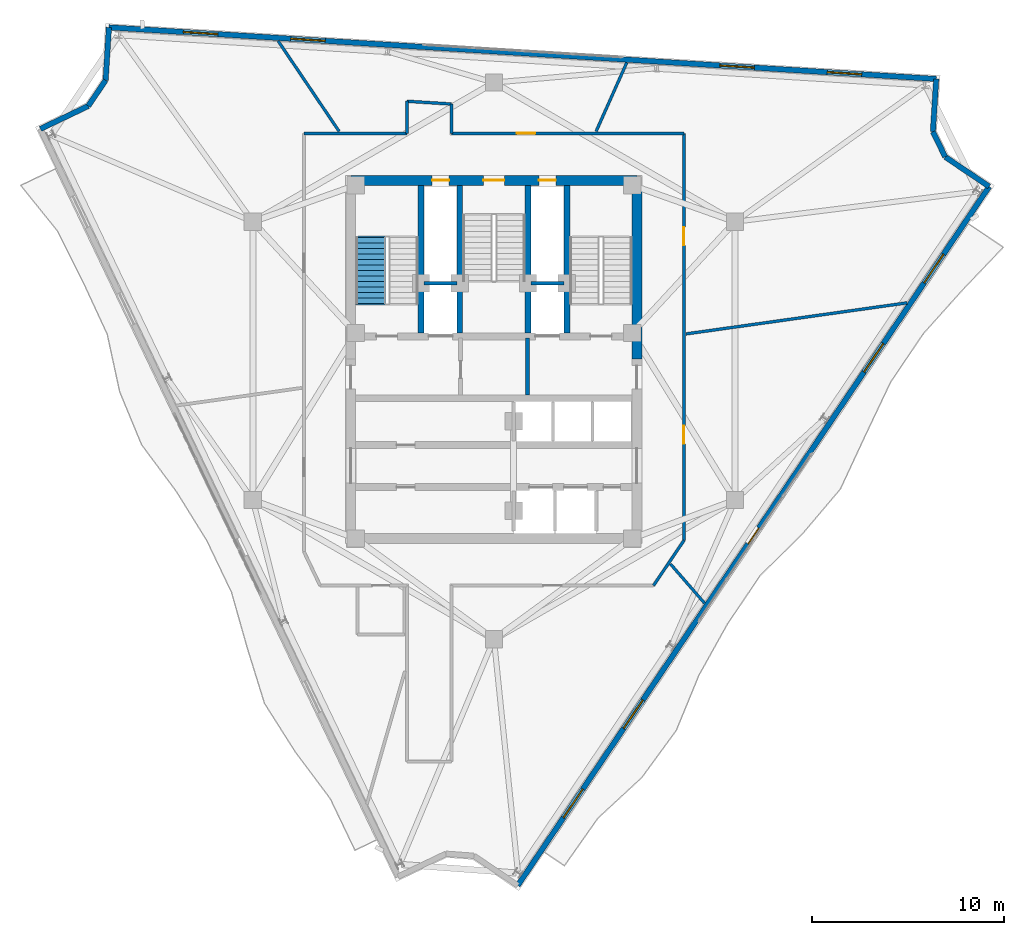
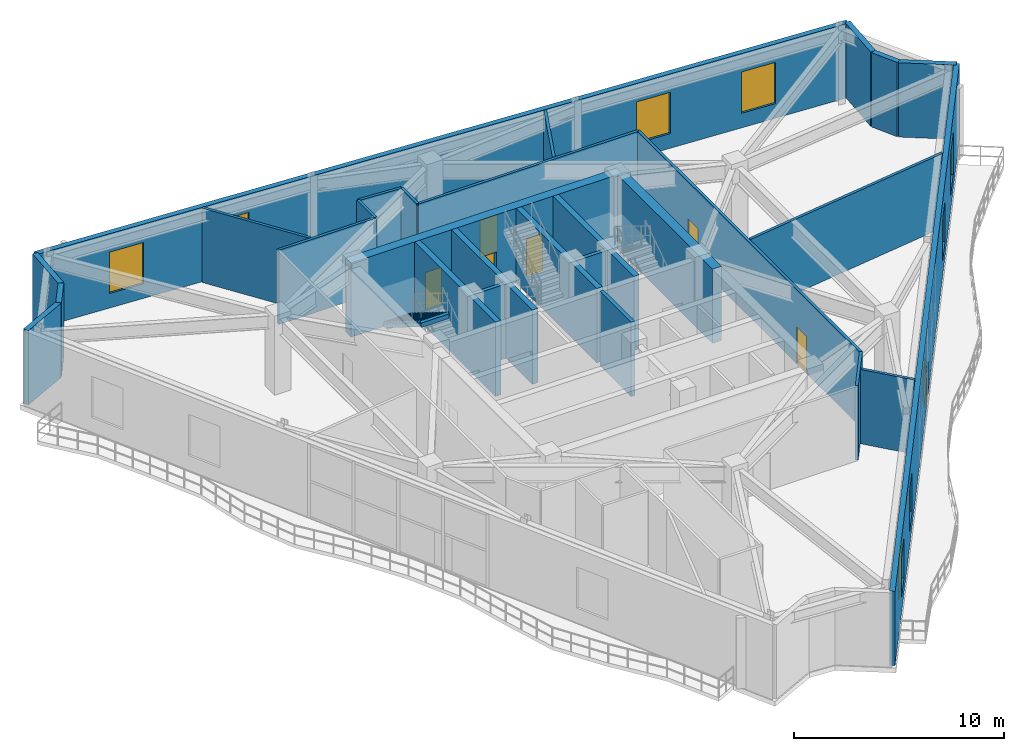
# One storey, part 11 of 15: 28 walls, 8 windows, 7 doors, 1 stair flight, 15 openings, 1 element without a shape of its own.
"""IFC4 building model written with IfcOpenShell, lengths in metres."""

from ifc_helpers import new_model, si_unit, direction, frame, frame_2d, origin, place, context, subcontext, project, spatial, polyline, rectangle, outline, extrude, material, layer, layer_set, type_object, element, fill, aggregate, save


model = new_model("IFC4")

# Units and contexts
model_context = context("Model", 3, precision=1e-05, world=origin(), true_north=direction((0.0, 1.0)))
body_context = subcontext(model_context, "Body", "Model", "MODEL_VIEW")
ifc_project = project(units=[si_unit("LENGTHUNIT", "METRE"), si_unit("AREAUNIT", "SQUARE_METRE"), si_unit("VOLUMEUNIT", "CUBIC_METRE"), si_unit("PLANEANGLEUNIT", "RADIAN"), si_unit("MASSUNIT", "GRAM", prefix="KILO")], contexts=[model_context])

# Site, building, storey
site_placement = place(None, origin())
site = spatial("IfcSite", under=ifc_project, at=site_placement, CompositionType="ELEMENT")
building_placement = place(site_placement, origin())
building = spatial("IfcBuilding", under=site, at=building_placement, Name="Apsidion Concourse Tower", CompositionType="ELEMENT")
storey_placement = place(building_placement, frame((0.0, 0.0, 318.800048828125)))
storey = spatial("IfcBuildingStorey", under=building, at=storey_placement, Name="L75", CompositionType="ELEMENT", Elevation=318.800048828125)

# Wall, openings, windows
ifc_material_1 = material(Name="Precast concrete C40/50", Category="concrete")
ifc_layer_1 = layer(ifc_material_1, 0.280029296875)
ifc_layer_set_1 = layer_set([ifc_layer_1], Name="Precast concrete C40/50")
wall_type_1 = type_object("IfcWallType", Name="WL-EXT-280", PredefinedType="STANDARD", material=ifc_layer_set_1)
wall_1_placement = place(storey_placement, frame((-20.056396484375, 17.376220703125, 0.0), z_axis=(0.0, 0.0, 1.0), x_axis=(0.998061236898, -0.06223959674, 0.0)))
wall_1 = element("IfcWall", 1, at=wall_1_placement, inside=storey, type_object=wall_type_1, Name="L75 Precast Stone Facade Wall 01", PredefinedType="STANDARD", context=body_context, shape_type="SweptSolid", body=[
    extrude(rectangle(XDim=43.179931640625, YDim=0.280029296875, at=frame_2d((21.58984375, 0.0))), origin(), (0.0, 0.0, 1.0), 4.320068359375),
])
opening_1_placement = place(wall_1_placement, frame((3.889892578125, 0.0, 0.85009765625)))
opening_1 = element("IfcOpeningElement", 2, at=opening_1_placement, cuts=wall_1, Name="Opening WN-09", PredefinedType="OPENING", context=body_context, shape_type="SweptSolid", body=[
    extrude(rectangle(XDim=1.800048828125, YDim=2.39990234375, at=frame_2d((0.89990234375, 1.199951171875))), frame((0.0, 0.14990234375, 0.0), z_axis=(0.0, -1.0, 0.0), x_axis=(1.0, 0.0, 0.0)), (0.0, 0.0, 1.0), 0.300048828125),
])
opening_2_placement = place(wall_1_placement, frame((9.489990234375, 0.0, 0.85009765625)))
opening_2 = element("IfcOpeningElement", 3, at=opening_2_placement, cuts=wall_1, Name="Opening WN-09", PredefinedType="OPENING", context=body_context, shape_type="SweptSolid", body=[
    extrude(rectangle(XDim=1.800048828125, YDim=2.39990234375, at=frame_2d((0.89990234375, 1.199951171875))), frame((0.0, 0.14990234375, 0.0), z_axis=(0.0, -1.0, 0.0), x_axis=(1.0, 0.0, 0.0)), (0.0, 0.0, 1.0), 0.300048828125),
])
opening_3_placement = place(wall_1_placement, frame((31.889892578125, 0.0, 0.85009765625)))
opening_3 = element("IfcOpeningElement", 4, at=opening_3_placement, cuts=wall_1, Name="Opening WN-09", PredefinedType="OPENING", context=body_context, shape_type="SweptSolid", body=[
    extrude(rectangle(XDim=1.800048828125, YDim=2.39990234375, at=frame_2d((0.89990234375, 1.199951171875))), frame((0.0, 0.14990234375, 0.0), z_axis=(0.0, -1.0, 0.0), x_axis=(1.0, 0.0, 0.0)), (0.0, 0.0, 1.0), 0.300048828125),
])
opening_4_placement = place(wall_1_placement, frame((37.489990234375, 0.0, 0.85009765625)))
opening_4 = element("IfcOpeningElement", 5, at=opening_4_placement, cuts=wall_1, Name="Opening WN-09", PredefinedType="OPENING", context=body_context, shape_type="SweptSolid", body=[
    extrude(rectangle(XDim=1.800048828125, YDim=2.39990234375, at=frame_2d((0.89990234375, 1.199951171875))), frame((0.0, 0.14990234375, 0.0), z_axis=(0.0, -1.0, 0.0), x_axis=(1.0, 0.0, 0.0)), (0.0, 0.0, 1.0), 0.300048828125),
])
ifc_material_2 = material(Name="Insulated laminated low-E glass", Category="glass")
window_type = type_object("IfcWindowType", Name="WN-OBS-1826", PartitioningType="DOUBLE_PANEL_VERTICAL", PredefinedType="WINDOW", material=ifc_material_2)
window_1_placement = place(opening_1_placement, origin())
window_1 = element("IfcWindow", 6, at=window_1_placement, inside=storey, type_object=window_type, Name="L75 Punched Facade Window 1-01", OverallHeight=2.39990234375, OverallWidth=1.800048828125, PartitioningType="DOUBLE_PANEL_VERTICAL", PredefinedType="WINDOW", context=body_context, shape_type="SweptSolid", body=[
    extrude(rectangle(XDim=1.800048828125, YDim=2.39990234375, at=frame_2d((0.89990234375, 1.199951171875))), frame((0.0, 0.030029296875, 0.0), z_axis=(0.0, -1.0, 0.0), x_axis=(1.0, 0.0, 0.0)), (0.0, 0.0, 1.0), 0.06005859375),
])
fill(opening_1, window_1)
window_2_placement = place(opening_2_placement, origin())
window_2 = element("IfcWindow", 7, at=window_2_placement, inside=storey, type_object=window_type, Name="L75 Punched Facade Window 1-02", OverallHeight=2.39990234375, OverallWidth=1.800048828125, PartitioningType="DOUBLE_PANEL_VERTICAL", PredefinedType="WINDOW", context=body_context, shape_type="SweptSolid", body=[
    extrude(rectangle(XDim=1.800048828125, YDim=2.39990234375, at=frame_2d((0.89990234375, 1.199951171875))), frame((0.0, 0.030029296875, 0.0), z_axis=(0.0, -1.0, 0.0), x_axis=(1.0, 0.0, 0.0)), (0.0, 0.0, 1.0), 0.06005859375),
])
fill(opening_2, window_2)
window_3_placement = place(opening_3_placement, origin())
window_3 = element("IfcWindow", 8, at=window_3_placement, inside=storey, type_object=window_type, Name="L75 Punched Facade Window 1-06", OverallHeight=2.39990234375, OverallWidth=1.800048828125, PartitioningType="DOUBLE_PANEL_VERTICAL", PredefinedType="WINDOW", context=body_context, shape_type="SweptSolid", body=[
    extrude(rectangle(XDim=1.800048828125, YDim=2.39990234375, at=frame_2d((0.89990234375, 1.199951171875))), frame((0.0, 0.030029296875, 0.0), z_axis=(0.0, -1.0, 0.0), x_axis=(1.0, 0.0, 0.0)), (0.0, 0.0, 1.0), 0.06005859375),
])
fill(opening_3, window_3)
window_4_placement = place(opening_4_placement, origin())
window_4 = element("IfcWindow", 9, at=window_4_placement, inside=storey, type_object=window_type, Name="L75 Punched Facade Window 1-07", OverallHeight=2.39990234375, OverallWidth=1.800048828125, PartitioningType="DOUBLE_PANEL_VERTICAL", PredefinedType="WINDOW", context=body_context, shape_type="SweptSolid", body=[
    extrude(rectangle(XDim=1.800048828125, YDim=2.39990234375, at=frame_2d((0.89990234375, 1.199951171875))), frame((0.0, 0.030029296875, 0.0), z_axis=(0.0, -1.0, 0.0), x_axis=(1.0, 0.0, 0.0)), (0.0, 0.0, 1.0), 0.06005859375),
])
fill(opening_4, window_4)

# Walls
wall_2_placement = place(storey_placement, frame((23.039794921875, 14.688720703125, 0.0), z_axis=(0.0, 0.0, 1.0), x_axis=(-0.062295651102, -0.998057739739, 0.0)))
element("IfcWall", 10, at=wall_2_placement, inside=storey, type_object=wall_type_1, Name="L75 Precast Stone Facade Wall 02", PredefinedType="STANDARD", context=body_context, shape_type="SweptSolid", body=[
    extrude(rectangle(XDim=2.759033203125, YDim=0.280029296875, at=frame_2d((1.37939453125, 0.0))), origin(), (0.0, 0.0, 1.0), 4.320068359375),
])
wall_3_placement = place(storey_placement, frame((22.867919921875, 11.93505859375, 0.0), z_axis=(0.0, 0.0, 1.0), x_axis=(0.441785524615, -0.897120699929, 0.0)))
element("IfcWall", 11, at=wall_3_placement, inside=storey, type_object=wall_type_1, Name="L75 Precast Stone Facade Wall 03", PredefinedType="STANDARD", context=body_context, shape_type="SweptSolid", body=[
    extrude(rectangle(XDim=1.45947265625, YDim=0.280029296875, at=frame_2d((0.729736328125, 0.0))), origin(), (0.0, 0.0, 1.0), 4.320068359375),
])
wall_4_placement = place(storey_placement, frame((23.5126953125, 10.625732421875, 0.0), z_axis=(0.0, 0.0, 1.0), x_axis=(0.829056864924, -0.559164300294, 0.0)))
element("IfcWall", 12, at=wall_4_placement, inside=storey, type_object=wall_type_1, Name="L75 Precast Stone Facade Wall 04", PredefinedType="STANDARD", context=body_context, shape_type="SweptSolid", body=[
    extrude(rectangle(XDim=2.759033203125, YDim=0.280029296875, at=frame_2d((1.37939453125, 0.0))), origin(), (0.0, 0.0, 1.0), 4.320068359375),
])

# Wall, openings, door, windows
wall_5_placement = place(storey_placement, frame((25.800048828125, 9.0830078125, 0.0), z_axis=(0.0, 0.0, 1.0), x_axis=(-0.55919392155, -0.829036885851, 0.0)))
wall_5 = element("IfcWall", 13, at=wall_5_placement, inside=storey, type_object=wall_type_1, Name="L75 Precast Stone Facade Wall 05", PredefinedType="STANDARD", context=body_context, shape_type="SweptSolid", body=[
    extrude(rectangle(XDim=43.914794921875, YDim=0.280029296875, at=frame_2d((21.95751953125, 0.0))), origin(), (0.0, 0.0, 1.0), 4.320068359375),
])
opening_5_placement = place(wall_5_placement, frame((21.457275390625, 0.0, 0.0)))
opening_5 = element("IfcOpeningElement", 14, at=opening_5_placement, cuts=wall_5, Name="Opening D-T1L", PredefinedType="OPENING", context=body_context, shape_type="SweptSolid", body=[
    extrude(rectangle(XDim=1.0, YDim=2.14990234375, at=frame_2d((0.5, 1.074951171875))), frame((0.0, 0.14990234375, 0.0), z_axis=(0.0, -1.0, 0.0), x_axis=(1.0, 0.0, 0.0)), (0.0, 0.0, 1.0), 0.300048828125),
])
opening_6_placement = place(wall_5_placement, frame((4.25732421875, 0.0, 0.85009765625)))
opening_6 = element("IfcOpeningElement", 15, at=opening_6_placement, cuts=wall_5, Name="Opening WN-09", PredefinedType="OPENING", context=body_context, shape_type="SweptSolid", body=[
    extrude(rectangle(XDim=1.800048828125, YDim=2.39990234375, at=frame_2d((0.89990234375, 1.199951171875))), frame((0.0, 0.14990234375, 0.0), z_axis=(0.0, -1.0, 0.0), x_axis=(1.0, 0.0, 0.0)), (0.0, 0.0, 1.0), 0.300048828125),
])
opening_7_placement = place(wall_5_placement, frame((9.857421875, 0.0, 0.85009765625)))
opening_7 = element("IfcOpeningElement", 16, at=opening_7_placement, cuts=wall_5, Name="Opening WN-09", PredefinedType="OPENING", context=body_context, shape_type="SweptSolid", body=[
    extrude(rectangle(XDim=1.800048828125, YDim=2.39990234375, at=frame_2d((0.89990234375, 1.199951171875))), frame((0.0, 0.14990234375, 0.0), z_axis=(0.0, -1.0, 0.0), x_axis=(1.0, 0.0, 0.0)), (0.0, 0.0, 1.0), 0.300048828125),
])
opening_8_placement = place(wall_5_placement, frame((32.25732421875, 0.0, 0.85009765625)))
opening_8 = element("IfcOpeningElement", 17, at=opening_8_placement, cuts=wall_5, Name="Opening WN-09", PredefinedType="OPENING", context=body_context, shape_type="SweptSolid", body=[
    extrude(rectangle(XDim=1.800048828125, YDim=2.39990234375, at=frame_2d((0.89990234375, 1.199951171875))), frame((0.0, 0.14990234375, 0.0), z_axis=(0.0, -1.0, 0.0), x_axis=(1.0, 0.0, 0.0)), (0.0, 0.0, 1.0), 0.300048828125),
])
opening_9_placement = place(wall_5_placement, frame((37.857421875, 0.0, 0.85009765625)))
opening_9 = element("IfcOpeningElement", 18, at=opening_9_placement, cuts=wall_5, Name="Opening WN-09", PredefinedType="OPENING", context=body_context, shape_type="SweptSolid", body=[
    extrude(rectangle(XDim=1.800048828125, YDim=2.39990234375, at=frame_2d((0.89990234375, 1.199951171875))), frame((0.0, 0.14990234375, 0.0), z_axis=(0.0, -1.0, 0.0), x_axis=(1.0, 0.0, 0.0)), (0.0, 0.0, 1.0), 0.300048828125),
])
ifc_material_3 = material(Name="Anodised aluminium EN AW-6063 T6", Category="aluminium")
door_type_1 = type_object("IfcDoorType", Name="DR-TER-1022L", OperationType="SINGLE_SWING_LEFT", PredefinedType="DOOR", material=ifc_material_3)
door_1_placement = place(opening_5_placement, origin())
door_1 = element("IfcDoor", 19, at=door_1_placement, inside=storey, type_object=door_type_1, Name="L75 Balcony Access Door 2", OperationType="SINGLE_SWING_LEFT", OverallHeight=2.14990234375, OverallWidth=1.0, PredefinedType="DOOR", context=body_context, shape_type="SweptSolid", body=[
    extrude(rectangle(XDim=1.0, YDim=2.14990234375, at=frame_2d((0.5, 1.074951171875))), frame((0.0, 0.02490234375, 0.0), z_axis=(0.0, -1.0, 0.0), x_axis=(1.0, 0.0, 0.0)), (0.0, 0.0, 1.0), 0.050048828125),
])
fill(opening_5, door_1)
window_5_placement = place(opening_6_placement, origin())
window_5 = element("IfcWindow", 20, at=window_5_placement, inside=storey, type_object=window_type, Name="L75 Punched Facade Window 5-01", OverallHeight=2.39990234375, OverallWidth=1.800048828125, PartitioningType="DOUBLE_PANEL_VERTICAL", PredefinedType="WINDOW", context=body_context, shape_type="SweptSolid", body=[
    extrude(rectangle(XDim=1.800048828125, YDim=2.39990234375, at=frame_2d((0.89990234375, 1.199951171875))), frame((0.0, 0.030029296875, 0.0), z_axis=(0.0, -1.0, 0.0), x_axis=(1.0, 0.0, 0.0)), (0.0, 0.0, 1.0), 0.06005859375),
])
fill(opening_6, window_5)
window_6_placement = place(opening_7_placement, origin())
window_6 = element("IfcWindow", 21, at=window_6_placement, inside=storey, type_object=window_type, Name="L75 Punched Facade Window 5-02", OverallHeight=2.39990234375, OverallWidth=1.800048828125, PartitioningType="DOUBLE_PANEL_VERTICAL", PredefinedType="WINDOW", context=body_context, shape_type="SweptSolid", body=[
    extrude(rectangle(XDim=1.800048828125, YDim=2.39990234375, at=frame_2d((0.89990234375, 1.199951171875))), frame((0.0, 0.030029296875, 0.0), z_axis=(0.0, -1.0, 0.0), x_axis=(1.0, 0.0, 0.0)), (0.0, 0.0, 1.0), 0.06005859375),
])
fill(opening_7, window_6)
window_7_placement = place(opening_8_placement, origin())
window_7 = element("IfcWindow", 22, at=window_7_placement, inside=storey, type_object=window_type, Name="L75 Punched Facade Window 5-06", OverallHeight=2.39990234375, OverallWidth=1.800048828125, PartitioningType="DOUBLE_PANEL_VERTICAL", PredefinedType="WINDOW", context=body_context, shape_type="SweptSolid", body=[
    extrude(rectangle(XDim=1.800048828125, YDim=2.39990234375, at=frame_2d((0.89990234375, 1.199951171875))), frame((0.0, 0.030029296875, 0.0), z_axis=(0.0, -1.0, 0.0), x_axis=(1.0, 0.0, 0.0)), (0.0, 0.0, 1.0), 0.06005859375),
])
fill(opening_8, window_7)
window_8_placement = place(opening_9_placement, origin())
window_8 = element("IfcWindow", 23, at=window_8_placement, inside=storey, type_object=window_type, Name="L75 Punched Facade Window 5-07", OverallHeight=2.39990234375, OverallWidth=1.800048828125, PartitioningType="DOUBLE_PANEL_VERTICAL", PredefinedType="WINDOW", context=body_context, shape_type="SweptSolid", body=[
    extrude(rectangle(XDim=1.800048828125, YDim=2.39990234375, at=frame_2d((0.89990234375, 1.199951171875))), frame((0.0, 0.030029296875, 0.0), z_axis=(0.0, -1.0, 0.0), x_axis=(1.0, 0.0, 0.0)), (0.0, 0.0, 1.0), 0.06005859375),
])
fill(opening_9, window_8)

# Walls
wall_6_placement = place(storey_placement, frame((-23.62451171875, 12.0869140625, 0.0), z_axis=(0.0, 0.0, 1.0), x_axis=(0.902092306117, 0.431543127909, 0.0)))
element("IfcWall", 24, at=wall_6_placement, inside=storey, type_object=wall_type_1, Name="L75 Precast Stone Facade Wall 10", PredefinedType="STANDARD", context=body_context, shape_type="SweptSolid", body=[
    extrude(rectangle(XDim=2.76025390625, YDim=0.280029296875, at=frame_2d((1.380126953125, 0.0))), origin(), (0.0, 0.0, 1.0), 4.320068359375),
])
wall_7_placement = place(storey_placement, frame((-21.134521484375, 13.278076171875, 0.0), z_axis=(0.0, 0.0, 1.0), x_axis=(0.559107950815, 0.829094867512, 0.0)))
element("IfcWall", 25, at=wall_7_placement, inside=storey, type_object=wall_type_1, Name="L75 Precast Stone Facade Wall 11", PredefinedType="STANDARD", context=body_context, shape_type="SweptSolid", body=[
    extrude(rectangle(XDim=1.620361328125, YDim=0.280029296875, at=frame_2d((0.81005859375, 0.0))), origin(), (0.0, 0.0, 1.0), 4.320068359375),
])
wall_8_placement = place(storey_placement, frame((-20.228515625, 14.62158203125, 0.0), z_axis=(0.0, 0.0, 1.0), x_axis=(0.062361765106, 0.998053610911, 0.0)))
element("IfcWall", 26, at=wall_8_placement, inside=storey, type_object=wall_type_1, Name="L75 Precast Stone Facade Wall 12", PredefinedType="STANDARD", context=body_context, shape_type="SweptSolid", body=[
    extrude(rectangle(XDim=2.760009765625, YDim=0.280029296875, at=frame_2d((1.3798828125, 0.0))), origin(), (0.0, 0.0, 1.0), 4.320068359375),
])
ifc_material_4 = material(Name="Gypsum plasterboard partition")
ifc_layer_2 = layer(ifc_material_4, 0.14990234375)
ifc_layer_set_2 = layer_set([ifc_layer_2], Name="Gypsum plasterboard partition")
wall_type_2 = type_object("IfcWallType", Name="WL-INT-PAR-150", PredefinedType="PARTITIONING", material=ifc_layer_set_2)
wall_9_placement = place(storey_placement, frame((-9.89990234375, 11.85009765625, 0.0), z_axis=(0.0, 0.0, 1.0), x_axis=(1.0, 0.0, 0.0)))
element("IfcWall", 27, at=wall_9_placement, inside=storey, type_object=wall_type_2, Name="L75 Interior Partition WL-L75-CORR-04", PredefinedType="PARTITIONING", context=body_context, shape_type="SweptSolid", body=[
    extrude(rectangle(XDim=5.369873046875, YDim=0.14990234375, at=frame_2d((2.68505859375, 0.0))), origin(), (0.0, 0.0, 1.0), 4.320068359375),
])
wall_10_placement = place(storey_placement, frame((-4.530029296875, 11.85009765625, 0.0), z_axis=(0.0, 0.0, 1.0), x_axis=(0.0, 1.0, 0.0)))
element("IfcWall", 28, at=wall_10_placement, inside=storey, type_object=wall_type_2, Name="L75 Interior Partition WL-L75-CORR-05", PredefinedType="PARTITIONING", context=body_context, shape_type="SweptSolid", body=[
    extrude(rectangle(XDim=1.67724609375, YDim=0.14990234375, at=frame_2d((0.838623046875, 0.0))), origin(), (0.0, 0.0, 1.0), 4.320068359375),
])
wall_11_placement = place(storey_placement, frame((-4.530029296875, 13.52734375, 0.0), z_axis=(0.0, 0.0, 1.0), x_axis=(0.998061597532, -0.062233813416, 0.0)))
element("IfcWall", 29, at=wall_11_placement, inside=storey, type_object=wall_type_2, Name="L75 Interior Partition WL-L75-CORR-06", PredefinedType="PARTITIONING", context=body_context, shape_type="SweptSolid", body=[
    extrude(rectangle(XDim=2.314453125, YDim=0.14990234375, at=frame_2d((1.1572265625, 0.0))), origin(), (0.0, 0.0, 1.0), 4.320068359375),
])
wall_12_placement = place(storey_placement, frame((-2.219970703125, 13.38330078125, 0.0), z_axis=(0.0, 0.0, 1.0), x_axis=(0.0, -1.0, 0.0)))
element("IfcWall", 30, at=wall_12_placement, inside=storey, type_object=wall_type_2, Name="L75 Interior Partition WL-L75-CORR-07", PredefinedType="PARTITIONING", context=body_context, shape_type="SweptSolid", body=[
    extrude(rectangle(XDim=1.533203125, YDim=0.14990234375, at=frame_2d((0.7666015625, 0.0))), origin(), (0.0, 0.0, 1.0), 4.320068359375),
])

# Wall, opening, door
wall_13_placement = place(storey_placement, frame((-2.219970703125, 11.85009765625, 0.0), z_axis=(0.0, 0.0, 1.0), x_axis=(1.0, 0.0, 0.0)))
wall_13 = element("IfcWall", 31, at=wall_13_placement, inside=storey, type_object=wall_type_2, Name="L75 Interior Partition WL-L75-CORR-08", PredefinedType="PARTITIONING", context=body_context, shape_type="SweptSolid", body=[
    extrude(rectangle(XDim=12.119873046875, YDim=0.14990234375, at=frame_2d((6.06005859375, 0.0))), origin(), (0.0, 0.0, 1.0), 4.320068359375),
])
opening_10_placement = place(wall_13_placement, frame((3.41796875, 0.0, 0.0)))
opening_10 = element("IfcOpeningElement", 32, at=opening_10_placement, cuts=wall_13, Name="Opening D-01L", PredefinedType="OPENING", context=body_context, shape_type="SweptSolid", body=[
    extrude(rectangle(XDim=0.949951171875, YDim=2.14990234375, at=frame_2d((0.47509765625, 1.074951171875))), frame((0.0, 0.0849609375, 0.0), z_axis=(0.0, -1.0, 0.0), x_axis=(1.0, 0.0, 0.0)), (0.0, 0.0, 1.0), 0.169921875),
])
ifc_material_5 = material(Name="Brushed stainless steel 316", Category="steel")
door_type_2 = type_object("IfcDoorType", Name="DR-INT-D01L", OperationType="SINGLE_SWING_LEFT", PredefinedType="DOOR", material=ifc_material_5)
door_2_placement = place(opening_10_placement, origin())
door_2 = element("IfcDoor", 33, at=door_2_placement, inside=storey, type_object=door_type_2, Name="L75 Corridor Entry Door 05", OperationType="SINGLE_SWING_LEFT", OverallHeight=2.14990234375, OverallWidth=0.949951171875, PredefinedType="DOOR", context=body_context, shape_type="SweptSolid", body=[
    extrude(rectangle(XDim=0.949951171875, YDim=2.14990234375, at=frame_2d((0.47509765625, 1.074951171875))), frame((0.0, 0.02490234375, 0.0), z_axis=(0.0, -1.0, 0.0), x_axis=(1.0, 0.0, 0.0)), (0.0, 0.0, 1.0), 0.050048828125),
])
fill(opening_10, door_2)

# Wall, openings, doors
wall_14_placement = place(storey_placement, frame((9.89990234375, 11.85009765625, 0.0), z_axis=(0.0, 0.0, 1.0), x_axis=(0.0, -1.0, 0.0)))
wall_14 = element("IfcWall", 34, at=wall_14_placement, inside=storey, type_object=wall_type_2, Name="L75 Interior Partition WL-L75-CORR-09", PredefinedType="PARTITIONING", context=body_context, shape_type="SweptSolid", body=[
    extrude(rectangle(XDim=21.198486328125, YDim=0.14990234375, at=frame_2d((10.59912109375, 0.0))), origin(), (0.0, 0.0, 1.0), 4.320068359375),
])
opening_11_placement = place(wall_14_placement, frame((15.22021484375, 0.0, 0.0)))
opening_11 = element("IfcOpeningElement", 35, at=opening_11_placement, cuts=wall_14, Name="Opening D-01L", PredefinedType="OPENING", context=body_context, shape_type="SweptSolid", body=[
    extrude(rectangle(XDim=0.949951171875, YDim=2.14990234375, at=frame_2d((0.47509765625, 1.074951171875))), frame((0.0, 0.0849609375, 0.0), z_axis=(0.0, -1.0, 0.0), x_axis=(1.0, 0.0, 0.0)), (0.0, 0.0, 1.0), 0.169921875),
])
opening_12_placement = place(wall_14_placement, frame((4.87548828125, 0.0, 0.0)))
opening_12 = element("IfcOpeningElement", 36, at=opening_12_placement, cuts=wall_14, Name="Opening D-01R", PredefinedType="OPENING", context=body_context, shape_type="SweptSolid", body=[
    extrude(rectangle(XDim=0.949951171875, YDim=2.14990234375, at=frame_2d((0.47509765625, 1.074951171875))), frame((0.0, 0.0849609375, 0.0), z_axis=(0.0, -1.0, 0.0), x_axis=(1.0, 0.0, 0.0)), (0.0, 0.0, 1.0), 0.169921875),
])
door_3_placement = place(opening_11_placement, origin())
door_3 = element("IfcDoor", 37, at=door_3_placement, inside=storey, type_object=door_type_2, Name="L75 Corridor Entry Door 03", OperationType="SINGLE_SWING_LEFT", OverallHeight=2.14990234375, OverallWidth=0.949951171875, PredefinedType="DOOR", context=body_context, shape_type="SweptSolid", body=[
    extrude(rectangle(XDim=0.949951171875, YDim=2.14990234375, at=frame_2d((0.47509765625, 1.074951171875))), frame((0.0, 0.02490234375, 0.0), z_axis=(0.0, -1.0, 0.0), x_axis=(1.0, 0.0, 0.0)), (0.0, 0.0, 1.0), 0.050048828125),
])
fill(opening_11, door_3)
door_type_3 = type_object("IfcDoorType", Name="DR-INT-D01R", OperationType="SINGLE_SWING_RIGHT", PredefinedType="DOOR", material=ifc_material_5)
door_4_placement = place(opening_12_placement, origin())
door_4 = element("IfcDoor", 38, at=door_4_placement, inside=storey, type_object=door_type_3, Name="L75 Corridor Entry Door 04", OperationType="SINGLE_SWING_RIGHT", OverallHeight=2.14990234375, OverallWidth=0.949951171875, PredefinedType="DOOR", context=body_context, shape_type="SweptSolid", body=[
    extrude(rectangle(XDim=0.949951171875, YDim=2.14990234375, at=frame_2d((0.47509765625, 1.074951171875))), frame((0.0, 0.02490234375, 0.0), z_axis=(0.0, -1.0, 0.0), x_axis=(1.0, 0.0, 0.0)), (0.0, 0.0, 1.0), 0.050048828125),
])
fill(opening_12, door_4)

# Walls
wall_15_placement = place(storey_placement, frame((9.89990234375, -9.348388671875, 0.0), z_axis=(0.0, 0.0, 1.0), x_axis=(-0.559200828408, -0.829032227062, 0.0)))
element("IfcWall", 39, at=wall_15_placement, inside=storey, type_object=wall_type_2, Name="L75 Interior Partition WL-L75-CORR-10", PredefinedType="PARTITIONING", context=body_context, shape_type="SweptSolid", body=[
    extrude(rectangle(XDim=2.83642578125, YDim=0.14990234375, at=frame_2d((1.418212890625, 0.0))), origin(), (0.0, 0.0, 1.0), 4.320068359375),
])
wall_16_placement = place(storey_placement, frame((5.32275390625, 11.955078125, 0.0), z_axis=(0.0, 0.0, 1.0), x_axis=(0.406710056431, 0.913557294316, 0.0)))
element("IfcWall", 40, at=wall_16_placement, inside=storey, type_object=wall_type_2, Name="L75 Interior Partition WL-L75-RAD-01-1", PredefinedType="PARTITIONING", context=body_context, shape_type="SweptSolid", body=[
    extrude(rectangle(XDim=3.9228515625, YDim=0.14990234375, at=frame_2d((1.96142578125, 0.0))), origin(), (0.0, 0.0, 1.0), 4.320068359375),
])
wall_17_placement = place(storey_placement, frame((-8.063720703125, 11.955078125, 0.0), z_axis=(0.0, 0.0, 1.0), x_axis=(-0.559217811097, 0.829020771604, 0.0)))
element("IfcWall", 41, at=wall_17_placement, inside=storey, type_object=wall_type_2, Name="L75 Interior Partition WL-L75-RAD-02-1", PredefinedType="PARTITIONING", context=body_context, shape_type="SweptSolid", body=[
    extrude(rectangle(XDim=5.68896484375, YDim=0.14990234375, at=frame_2d((2.844482421875, 0.0))), origin(), (0.0, 0.0, 1.0), 4.320068359375),
])
wall_18_placement = place(storey_placement, frame((9.1962890625, -10.5791015625, 0.0), z_axis=(0.0, 0.0, 1.0), x_axis=(0.656055910676, -0.754712290921, 0.0)))
element("IfcWall", 42, at=wall_18_placement, inside=storey, type_object=wall_type_2, Name="L75 Interior Partition WL-L75-RAD-05-1", PredefinedType="PARTITIONING", context=body_context, shape_type="SweptSolid", body=[
    extrude(rectangle(XDim=2.707275390625, YDim=0.14990234375, at=frame_2d((1.353515625, 0.0))), origin(), (0.0, 0.0, 1.0), 4.320068359375),
])
wall_19_placement = place(storey_placement, frame((10.0048828125, 1.406005859375, 0.0), z_axis=(0.0, 0.0, 1.0), x_axis=(0.990267561789, 0.13917670807, 0.0)))
element("IfcWall", 43, at=wall_19_placement, inside=storey, type_object=wall_type_2, Name="L75 Interior Partition WL-L75-RAD-06-1", PredefinedType="PARTITIONING", context=body_context, shape_type="SweptSolid", body=[
    extrude(rectangle(XDim=11.635498046875, YDim=0.14990234375, at=frame_2d((5.81787109375, 0.0))), origin(), (0.0, 0.0, 1.0), 4.320068359375),
])
ifc_layer_3 = layer(ifc_material_4, 0.199951171875)
ifc_layer_set_3 = layer_set([ifc_layer_3], Name="Gypsum plasterboard partition")
wall_type_3 = type_object("IfcWallType", Name="WL-INT-PAR-200", PredefinedType="PARTITIONING", material=ifc_layer_set_3)
for number, where, z_axis, x_axis, name in (
    (44, (-3.64990234375, 4.050048828125, 0.0), (0.0, 0.0, 1.0), (1.0, 0.0, 0.0), "L75 Interior Partition WL-L75-FF1-N"),
    (45, (1.919921875, 4.050048828125, 0.0), (0.0, 0.0, 1.0), (1.0, 0.0, 0.0), "L75 Interior Partition WL-L75-FF2-N"),
):
    element("IfcWall", number, at=place(storey_placement, frame(where, z_axis=z_axis, x_axis=x_axis)), inside=storey, type_object=wall_type_3, Name=name, PredefinedType="PARTITIONING", context=body_context, shape_type="SweptSolid", body=[
        extrude(rectangle(XDim=1.72998046875, YDim=0.199951171875, at=frame_2d((0.864990234375, 0.0))), origin(), (0.0, 0.0, 1.0), 4.320068359375),
    ])
wall_20_placement = place(storey_placement, frame((1.739990234375, -1.780029296875, 0.0), z_axis=(0.0, 0.0, 1.0), x_axis=(0.0, 1.0, 0.0)))
element("IfcWall", 46, at=wall_20_placement, inside=storey, type_object=wall_type_3, Name="L75 Interior Partition WL-L75-FF2-W", PredefinedType="PARTITIONING", context=body_context, shape_type="SweptSolid", body=[
    extrude(rectangle(XDim=2.97998046875, YDim=0.199951171875, at=frame_2d((1.489990234375, 0.0))), origin(), (0.0, 0.0, 1.0), 4.320068359375),
])
ifc_material_6 = material(Name="Concrete C50/60", Category="concrete")
ifc_layer_4 = layer(ifc_material_6, 0.300048828125)
ifc_layer_set_4 = layer_set([ifc_layer_4], Name="Concrete C50/60")
wall_type_4 = type_object("IfcWallType", Name="WL-SH-300", PredefinedType="SHEAR", material=ifc_layer_set_4)
for number, where, z_axis, x_axis, name in (
    (47, (-3.800048828125, 1.449951171875, 0.0), (0.0, 0.0, 1.0), (0.0, 1.0, 0.0), "L75 Central Core Shear Wall V1"),
    (48, (-1.77490234375, 1.449951171875, 0.0), (0.0, 0.0, 1.0), (0.0, 1.0, 0.0), "L75 Central Core Shear Wall V2"),
    (49, (1.77490234375, 1.449951171875, 0.0), (0.0, 0.0, 1.0), (0.0, 1.0, 0.0), "L75 Central Core Shear Wall V3"),
    (50, (3.800048828125, 1.449951171875, 0.0), (0.0, 0.0, 1.0), (0.0, 1.0, 0.0), "L75 Central Core Shear Wall V4"),
):
    element("IfcWall", number, at=place(storey_placement, frame(where, z_axis=z_axis, x_axis=x_axis)), inside=storey, type_object=wall_type_4, Name=name, PredefinedType="SHEAR", context=body_context, shape_type="SweptSolid", body=[
        extrude(rectangle(XDim=7.699951171875, YDim=0.300048828125, at=frame_2d((3.85009765625, 0.0))), origin(), (0.0, 0.0, 1.0), 4.320068359375),
    ])

# Wall, openings, doors
ifc_layer_5 = layer(ifc_material_6, 0.5)
ifc_layer_set_5 = layer_set([ifc_layer_5], Name="Concrete C50/60")
wall_type_5 = type_object("IfcWallType", Name="WL-SH-500", PredefinedType="SHEAR", material=ifc_layer_set_5)
wall_21_placement = place(storey_placement, frame((-7.449951171875, 9.39990234375, 0.0), z_axis=(0.0, 0.0, 1.0), x_axis=(1.0, 0.0, 0.0)))
wall_21 = element("IfcWall", 51, at=wall_21_placement, inside=storey, type_object=wall_type_5, Name="L75 Central Core Shear Wall N", PredefinedType="SHEAR", context=body_context, shape_type="SweptSolid", body=[
    extrude(rectangle(XDim=14.89990234375, YDim=0.5, at=frame_2d((7.449951171875, 0.0))), origin(), (0.0, 0.0, 1.0), 4.320068359375),
])
opening_13_placement = place(wall_21_placement, frame((6.89990234375, 0.0, 0.0)))
opening_13 = element("IfcOpeningElement", 52, at=opening_13_placement, cuts=wall_21, Name="Opening D-STL", PredefinedType="OPENING", context=body_context, shape_type="SweptSolid", body=[
    extrude(rectangle(XDim=1.10009765625, YDim=2.14990234375, at=frame_2d((0.550048828125, 1.074951171875))), frame((0.0, 0.260009765625, 0.0), z_axis=(0.0, -1.0, 0.0), x_axis=(1.0, 0.0, 0.0)), (0.0, 0.0, 1.0), 0.52001953125),
])
opening_14_placement = place(wall_21_placement, frame((4.22998046875, 0.0, 0.0)))
opening_14 = element("IfcOpeningElement", 53, at=opening_14_placement, cuts=wall_21, Name="Opening D-05L", PredefinedType="OPENING", context=body_context, shape_type="SweptSolid", body=[
    extrude(rectangle(XDim=0.8798828125, YDim=2.14990234375, at=frame_2d((0.43994140625, 1.074951171875))), frame((0.0, 0.260009765625, 0.0), z_axis=(0.0, -1.0, 0.0), x_axis=(1.0, 0.0, 0.0)), (0.0, 0.0, 1.0), 0.52001953125),
])
opening_15_placement = place(wall_21_placement, frame((9.7900390625, 0.0, 0.0)))
opening_15 = element("IfcOpeningElement", 54, at=opening_15_placement, cuts=wall_21, Name="Opening D-05R", PredefinedType="OPENING", context=body_context, shape_type="SweptSolid", body=[
    extrude(rectangle(XDim=0.8798828125, YDim=2.14990234375, at=frame_2d((0.43994140625, 1.074951171875))), frame((0.0, 0.260009765625, 0.0), z_axis=(0.0, -1.0, 0.0), x_axis=(1.0, 0.0, 0.0)), (0.0, 0.0, 1.0), 0.52001953125),
])
door_type_4 = type_object("IfcDoorType", Name="DR-INT-D05L", OperationType="SINGLE_SWING_LEFT", PredefinedType="DOOR", material=ifc_material_5)
door_5_placement = place(opening_14_placement, origin())
door_5 = element("IfcDoor", 55, at=door_5_placement, inside=storey, type_object=door_type_4, Name="L75 Electrical Riser Shaft Access Door", OperationType="SINGLE_SWING_LEFT", OverallHeight=2.14990234375, OverallWidth=0.8798828125, PredefinedType="DOOR", context=body_context, shape_type="SweptSolid", body=[
    extrude(rectangle(XDim=0.8798828125, YDim=2.14990234375, at=frame_2d((0.43994140625, 1.074951171875))), frame((0.0, 0.02490234375, 0.0), z_axis=(0.0, -1.0, 0.0), x_axis=(1.0, 0.0, 0.0)), (0.0, 0.0, 1.0), 0.050048828125),
])
fill(opening_14, door_5)
door_type_5 = type_object("IfcDoorType", Name="DR-INT-D05R", OperationType="SINGLE_SWING_RIGHT", PredefinedType="DOOR", material=ifc_material_5)
door_6_placement = place(opening_15_placement, origin())
door_6 = element("IfcDoor", 56, at=door_6_placement, inside=storey, type_object=door_type_5, Name="L75 Mechanical Riser Shaft Access Door", OperationType="SINGLE_SWING_RIGHT", OverallHeight=2.14990234375, OverallWidth=0.8798828125, PredefinedType="DOOR", context=body_context, shape_type="SweptSolid", body=[
    extrude(rectangle(XDim=0.8798828125, YDim=2.14990234375, at=frame_2d((0.43994140625, 1.074951171875))), frame((0.0, 0.02490234375, 0.0), z_axis=(0.0, -1.0, 0.0), x_axis=(1.0, 0.0, 0.0)), (0.0, 0.0, 1.0), 0.050048828125),
])
fill(opening_15, door_6)
door_type_6 = type_object("IfcDoorType", Name="DR-INT-ST1L", OperationType="SINGLE_SWING_LEFT", PredefinedType="DOOR", material=ifc_material_5)
door_7_placement = place(opening_13_placement, origin())
door_7 = element("IfcDoor", 57, at=door_7_placement, inside=storey, type_object=door_type_6, Name="L75 Core Exit Stair ST3 Door", OperationType="SINGLE_SWING_LEFT", OverallHeight=2.14990234375, OverallWidth=1.10009765625, PredefinedType="DOOR", context=body_context, shape_type="SweptSolid", body=[
    extrude(rectangle(XDim=1.10009765625, YDim=2.14990234375, at=frame_2d((0.550048828125, 1.074951171875))), frame((0.0, 0.02490234375, 0.0), z_axis=(0.0, -1.0, 0.0), x_axis=(1.0, 0.0, 0.0)), (0.0, 0.0, 1.0), 0.050048828125),
])
fill(opening_13, door_7)

# Wall
wall_22_placement = place(storey_placement, frame((7.449951171875, 0.10009765625, 0.0), z_axis=(0.0, 0.0, 1.0), x_axis=(0.0, 1.0, 0.0)))
element("IfcWall", 58, at=wall_22_placement, inside=storey, type_object=wall_type_5, Name="L75 Central Core Shear Wall EN", PredefinedType="SHEAR", context=body_context, shape_type="SweptSolid", body=[
    extrude(rectangle(XDim=9.0498046875, YDim=0.5, at=frame_2d((4.52490234375, 0.0))), origin(), (0.0, 0.0, 1.0), 4.320068359375),
])

# Stair, stair flight
stair_type = type_object("IfcStairType", Name="ST-DL-1550", PredefinedType="HALF_TURN_STAIR", material=ifc_material_1)
stair_placement = place(storey_placement, origin())
stair = element("IfcStair", 59, at=stair_placement, inside=storey, type_object=stair_type, Name="L75 Protected Core Exit Stair ST1", PredefinedType="HALF_TURN_STAIR")
stair_flight_type = type_object("IfcStairFlightType", Name="SFL-RC-1550", PredefinedType="STRAIGHT", material=ifc_material_1)
stair_flight_placement = place(storey_placement, frame((-6.425048828125, 6.419921875, 2.300048828125), z_axis=(0.0, 0.0, 1.0), x_axis=(0.0, -1.0, 0.0)))
stair_flight = element("IfcStairFlight", 60, at=stair_flight_placement, type_object=stair_flight_type, Name="ST1 flight 2", NumberOfRisers=13, NumberOfTreads=12, PredefinedType="STRAIGHT", RiserHeight=0.176923077, TreadLength=0.285, context=body_context, shape_type="SweptSolid", body=[
    extrude(outline(polyline([(-0.080078125, -0.1123046875), (-0.080078125, 0.0), (0.0, 0.0), (0.0, 0.177001953125), (0.284912109375, 0.177001953125), (0.284912109375, 0.353759765625), (0.570068359375, 0.353759765625), (0.570068359375, 0.53076171875), (0.85498046875, 0.53076171875), (0.85498046875, 0.707763671875), (1.139892578125, 0.707763671875), (1.139892578125, 0.884521484375), (1.425048828125, 0.884521484375), (1.425048828125, 1.0615234375), (1.7099609375, 1.0615234375), (1.7099609375, 1.238525390625), (1.9951171875, 1.238525390625), (1.9951171875, 1.415283203125), (2.280029296875, 1.415283203125), (2.280029296875, 1.59228515625), (2.56494140625, 1.59228515625), (2.56494140625, 1.769287109375), (2.85009765625, 1.769287109375), (2.85009765625, 1.946044921875), (3.135009765625, 1.946044921875), (3.135009765625, 2.123046875), (3.419921875, 2.123046875), (3.419921875, 2.300048828125), (3.5, 2.21142578125), (3.5, 1.946533203125), (3.419921875, 1.946533203125), (0.2841796875, 0.0), (0.2841796875, -0.1123046875), (-0.080078125, -0.1123046875)])), frame((0.0, 0.77490234375, 0.0), z_axis=(0.0, -1.0, 0.0), x_axis=(1.0, 0.0, 0.0)), (0.0, 0.0, 1.0), 1.550048828125),
])
aggregate(stair, [stair_flight])

save(model, "model.ifc")
